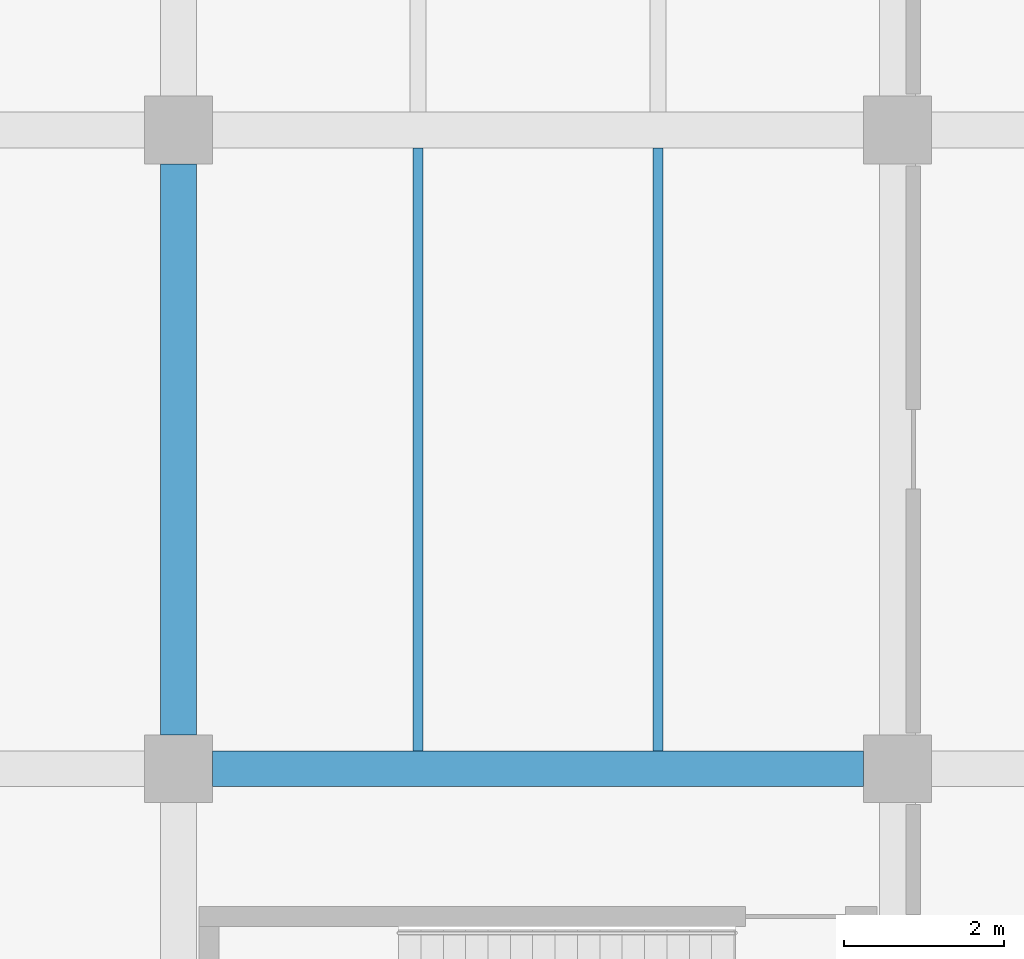
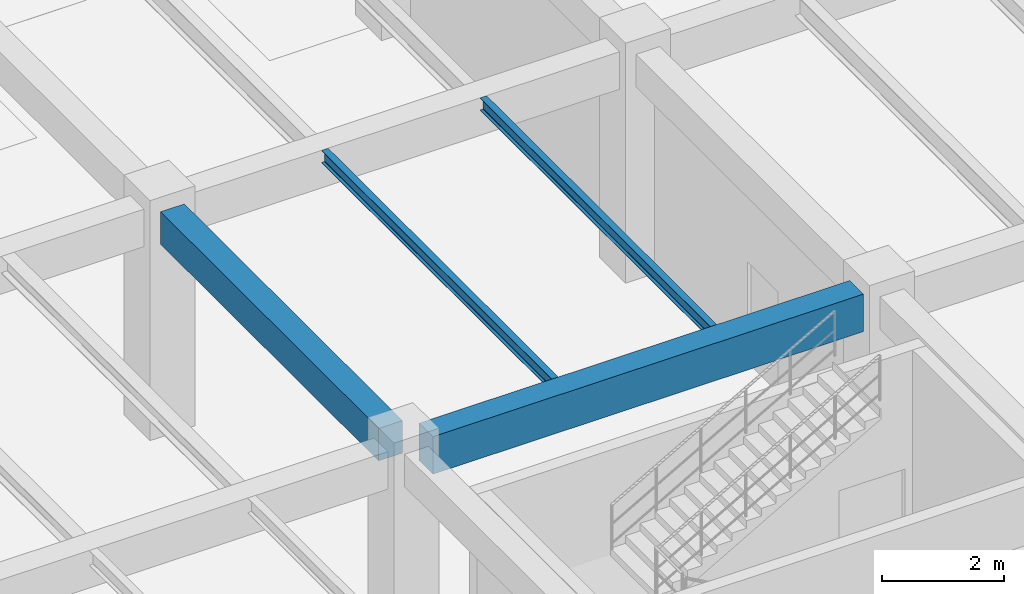
# One storey, part 116 of 178: 4 beams.
"""IFC4 building model written with IfcOpenShell, lengths in metres."""

import ifcopenshell
import ifcopenshell.guid

model = None  # the IFC model being written
_history = None  # IfcOwnerHistory: only IFC2X3 demands one
_inside = {}  # id of a spatial element -> (the spatial element, [elements in it])
_under = {}  # id of a project, library or spatial element -> (it, [spatial elements below it])
_declared = {}  # id of a project -> (the project, [libraries it declares])
_typed = {}  # id of a type object -> (the type object, [elements of that type])
_made_of = {}  # id of a material, layer set ... -> (it, [elements and type objects made of it])


def new_model(schema):
    """Start an empty IFC model of exactly this schema.

    Asked for "IFC4X3", IfcOpenShell would pick the latest addendum, in which some entities
    have other attributes; the version numbers below select the first issue.
    IFC2X3 requires an IfcOwnerHistory on every rooted entity: one is made here for all.
    """
    global model, _history
    if schema == "IFC4X3":
        model = ifcopenshell.file(schema_version=(4, 3, 0, 0))
    else:
        model = ifcopenshell.file(schema=schema)
    _inside.clear()
    _under.clear()
    _declared.clear()
    _typed.clear()
    _made_of.clear()
    _history = None
    if model.schema == "IFC2X3":
        org = make("IfcOrganization", Name="unknown")
        user = make(
            "IfcPersonAndOrganization",
            ThePerson=make("IfcPerson", FamilyName="unknown"),
            TheOrganization=org,
        )
        app = make(
            "IfcApplication",
            ApplicationDeveloper=org,
            Version="unknown",
            ApplicationFullName="unknown",
            ApplicationIdentifier="unknown",
        )
        _history = make(
            "IfcOwnerHistory",
            OwningUser=user,
            OwningApplication=app,
            ChangeAction="ADDED",
            CreationDate=0,
        )
    return model


def make(cls, **values):
    """One entity of the class cls with the attributes given. An attribute that is None is left unset."""
    return model.create_entity(
        cls, **{name: value for name, value in values.items() if value is not None}
    )


def rooted(cls, **values):
    """An entity with a GlobalId (a new one), such as an element, a storey or a relation."""
    return make(cls, GlobalId=ifcopenshell.guid.new(), OwnerHistory=_history, **values)


def si_unit(unit_type, name, prefix=None):
    """IfcSIUnit, for example si_unit("LENGTHUNIT", "METRE", prefix="MILLI")."""
    return make("IfcSIUnit", UnitType=unit_type, Prefix=prefix, Name=name)


def derived_unit(unit_type, elements):
    """IfcDerivedUnit: a product of units, each with its exponent."""
    return make(
        "IfcDerivedUnit",
        Elements=[
            make("IfcDerivedUnitElement", Unit=unit, Exponent=power)
            for unit, power in elements
        ],
        UnitType=unit_type,
    )


def assignment(units):
    """IfcUnitAssignment: the units of a project."""
    return None if units is None else make("IfcUnitAssignment", Units=units)


def point(xyz):
    """IfcCartesianPoint."""
    return None if xyz is None else make("IfcCartesianPoint", Coordinates=xyz)


def direction(xyz):
    """IfcDirection."""
    return None if xyz is None else make("IfcDirection", DirectionRatios=xyz)


def frame(location, z_axis=None, x_axis=None):
    """IfcAxis2Placement3D, a coordinate frame: its origin and axes. An axis left out is left unset."""
    return make(
        "IfcAxis2Placement3D",
        Location=point(location),
        Axis=direction(z_axis),
        RefDirection=direction(x_axis),
    )


def frame_2d(location, x_axis=None):
    """IfcAxis2Placement2D, a coordinate frame in the plane: its origin and x axis."""
    return make(
        "IfcAxis2Placement2D", Location=point(location), RefDirection=direction(x_axis)
    )


def origin():
    """The frame at (0, 0, 0) with its axes left unset."""
    return frame((0.0, 0.0, 0.0))


def origin_2d():
    """The frame at (0, 0) in the plane with its x axis left unset."""
    return frame_2d((0.0, 0.0))


def place(relative_to, where):
    """IfcLocalPlacement: puts the frame where relative to a parent placement (None: the world)."""
    return make(
        "IfcLocalPlacement", PlacementRelTo=relative_to, RelativePlacement=where
    )


def context(
    kind, dimensions, precision=None, world=None, true_north=None, identifier=None
):
    """IfcGeometricRepresentationContext, for example the 3D "Model" context."""
    return make(
        "IfcGeometricRepresentationContext",
        ContextIdentifier=identifier,
        ContextType=kind,
        CoordinateSpaceDimension=dimensions,
        Precision=precision,
        WorldCoordinateSystem=world,
        TrueNorth=true_north,
    )


def subcontext(parent, identifier, kind, view, scale=None):
    """IfcGeometricRepresentationSubContext, for example "Body" below "Model"."""
    return make(
        "IfcGeometricRepresentationSubContext",
        ContextIdentifier=identifier,
        ContextType=kind,
        ParentContext=parent,
        TargetScale=scale,
        TargetView=view,
    )


def project(units=None, contexts=None):
    """IfcProject with its units and contexts."""
    return rooted(
        "IfcProject",
        Name="project",
        RepresentationContexts=contexts,
        UnitsInContext=assignment(units),
    )


def spatial(cls, under=None, at=None, **own):
    """A site, building, storey or space (cls), placed at a placement, below another one or the project."""
    s = rooted(cls, ObjectPlacement=at, **own)
    if under is not None:
        _under.setdefault(under.id(), (under, []))[1].append(s)
    return s


def profile(cls, at=None, kind="AREA", **sizes):
    """A parametric profile (cls). Its sizes go by their IFC names, for example OverallWidth=200.0."""
    return make(cls, ProfileType=kind, Position=at, **sizes)


def rectangle(**sizes):
    """IfcRectangleProfileDef."""
    return profile("IfcRectangleProfileDef", **sizes)


def i_section(**sizes):
    """IfcIShapeProfileDef."""
    return profile("IfcIShapeProfileDef", **sizes)


def extrude(swept, where, along, depth):
    """IfcExtrudedAreaSolid: the profile swept, set in the frame where, extruded along a direction by depth."""
    return make(
        "IfcExtrudedAreaSolid",
        SweptArea=swept,
        Position=where,
        ExtrudedDirection=direction(along),
        Depth=depth,
    )


def shape(context_of_items, identifier, shape_type, items):
    """IfcShapeRepresentation: the items that make up one representation, for example the "Body"."""
    return make(
        "IfcShapeRepresentation",
        ContextOfItems=context_of_items,
        RepresentationIdentifier=identifier,
        RepresentationType=shape_type,
        Items=items,
    )


def material(Name=None, Category=None):
    """IfcMaterial."""
    return make("IfcMaterial", Name=Name, Category=Category)


def material_profile(
    of_material, cross_section, Name=None, Category=None, Priority=None
):
    """IfcMaterialProfile: a cross section and its material."""
    return make(
        "IfcMaterialProfile",
        Name=Name,
        Material=of_material,
        Profile=cross_section,
        Priority=Priority,
        Category=Category,
    )


def profile_set(profiles, Name=None, composite=None):
    """IfcMaterialProfileSet."""
    return make(
        "IfcMaterialProfileSet",
        Name=Name,
        MaterialProfiles=profiles,
        CompositeProfile=composite,
    )


def made_of(thing, what):
    """Note that an element or type object is made of a material, layer set ...; save() writes the relation."""
    if what is not None:
        _made_of.setdefault(what.id(), (what, []))[1].append(thing)
    return thing


def type_object(cls, material=None, **own):
    """A type object (cls), such as IfcWallType, which elements share."""
    return made_of(rooted(cls, **own), material)


def element(
    cls,
    number,
    at=None,
    inside=None,
    cuts=None,
    type_object=None,
    material=None,
    context=None,
    identifier="Body",
    shape_type=None,
    held_by="IfcProductDefinitionShape",
    body=None,
    shapes=None,
    **own,
):
    """One element of the class cls, such as IfcWall. Its Tag is "e" and its number.

    at: its placement. inside: the storey or other place that contains it. cuts: it is an
    opening in that element (IfcRelVoidsElement). A single representation is given by context,
    identifier, shape_type and body (its items); several are given by shapes. held_by: the class
    of the entity that holds the representations. save() writes the other relations.
    """
    e = rooted(cls, Tag="e%d" % number, ObjectPlacement=at, **own)
    if body is not None:
        shapes = [shape(context, identifier, shape_type, body)]
    if shapes is not None:
        e.Representation = make(held_by, Representations=shapes)
    if inside is not None:
        _inside.setdefault(inside.id(), (inside, []))[1].append(e)
    if cuts is not None:
        rooted(
            "IfcRelVoidsElement", RelatingBuildingElement=cuts, RelatedOpeningElement=e
        )
    if type_object is not None:
        _typed.setdefault(type_object.id(), (type_object, []))[1].append(e)
    return made_of(e, material)


def aggregate(whole, parts):
    """IfcRelAggregates: a whole, such as a stair, and the parts it consists of."""
    return rooted("IfcRelAggregates", RelatingObject=whole, RelatedObjects=parts)


def save(model, path):
    """Write the relations noted so far, then the file.

    IfcRelAggregates (storeys below a building ...), IfcRelContainedInSpatialStructure (elements
    in a storey), IfcRelDefinesByType, IfcRelAssociatesMaterial and IfcRelDeclares: one each for
    every whole, place, type object, material and project.
    """
    for whole, parts in _under.values():
        aggregate(whole, parts)
    for where, things in _inside.values():
        rooted(
            "IfcRelContainedInSpatialStructure",
            RelatedElements=things,
            RelatingStructure=where,
        )
    for kind, things in _typed.values():
        rooted("IfcRelDefinesByType", RelatedObjects=things, RelatingType=kind)
    for what, things in _made_of.values():
        rooted("IfcRelAssociatesMaterial", RelatedObjects=things, RelatingMaterial=what)
    for by, libraries in _declared.values():
        rooted("IfcRelDeclares", RelatingContext=by, RelatedDefinitions=libraries)
    model.write(path)


model = new_model("IFC4")

# Units and contexts
model_context = context("Model", 3, precision=1e-05, world=origin(), true_north=direction((0.0, 1.0)))
body_context = subcontext(model_context, "Body", "Model", "MODEL_VIEW")
ifc_project = project(units=[si_unit("LENGTHUNIT", "METRE"), si_unit("AREAUNIT", "SQUARE_METRE"), si_unit("VOLUMEUNIT", "CUBIC_METRE"), si_unit("PLANEANGLEUNIT", "RADIAN"), si_unit("MASSUNIT", "GRAM", prefix="KILO"), derived_unit("THERMALTRANSMITTANCEUNIT", [(si_unit("MASSUNIT", "GRAM", prefix="KILO"), 1), (si_unit("TIMEUNIT", "SECOND"), -3), (si_unit("THERMODYNAMICTEMPERATUREUNIT", "KELVIN"), -1)])], contexts=[model_context])

# Site, building, storey
site_placement = place(None, origin())
site = spatial("IfcSite", under=ifc_project, at=site_placement, CompositionType="ELEMENT")
building_placement = place(site_placement, origin())
building = spatial("IfcBuilding", under=site, at=building_placement, Name="Zhenchuan Archway Interchange", CompositionType="ELEMENT")
storey_placement = place(building_placement, frame((0.0, 0.0, 5.39990234375)))
storey = spatial("IfcBuildingStorey", under=building, at=storey_placement, Name="L01", CompositionType="ELEMENT", Elevation=5.39990234375)

# Beams
ifc_material_1 = material(Name="Concrete C40", Category="concrete")
ifc_material_profile_1 = material_profile(ifc_material_1, rectangle(XDim=0.449951171875, YDim=0.64990234375, at=origin_2d()), Name="RC 450x650")
ifc_profile_set_1 = profile_set([ifc_material_profile_1], Name="Concrete C40")
beam_type_1 = type_object("IfcBeamType", Name="BM_RC_450x650", PredefinedType="BEAM", material=ifc_profile_set_1)
beam_1_placement = place(storey_placement, frame((153.0, 24.425048828125, 4.18505859375), z_axis=(0.0, 1.0, 0.0), x_axis=(-1.0, 0.0, 0.0)))
element("IfcBeam", 1, at=beam_1_placement, inside=storey, type_object=beam_type_1, Name="Beam 18:D-E (L01)", PredefinedType="BEAM", context=body_context, shape_type="SweptSolid", body=[
    extrude(rectangle(XDim=0.449951171875, YDim=0.64990234375, at=origin_2d()), origin(), (0.0, 0.0, 1.0), 7.14990234375),
])
ifc_material_profile_2 = material_profile(ifc_material_1, rectangle(XDim=0.449951171875, YDim=0.75, at=origin_2d()), Name="RC 450x750")
ifc_profile_set_2 = profile_set([ifc_material_profile_2], Name="Concrete C40")
beam_type_2 = type_object("IfcBeamType", Name="BM_RC_450x750", PredefinedType="BEAM", material=ifc_profile_set_2)
beam_2_placement = place(storey_placement, frame((153.425048828125, 24.0, 4.135009765625), z_axis=(1.0, 0.0, 0.0), x_axis=(0.0, 1.0, 0.0)))
element("IfcBeam", 2, at=beam_2_placement, inside=storey, type_object=beam_type_2, Name="Beam D:18-19 (L01)", PredefinedType="BEAM", context=body_context, shape_type="SweptSolid", body=[
    extrude(rectangle(XDim=0.449951171875, YDim=0.75, at=origin_2d()), origin(), (0.0, 0.0, 1.0), 8.14990234375),
])
ifc_material_2 = material(Name="Steel Q355", Category="steel")
ifc_material_profile_3 = material_profile(ifc_material_2, i_section(OverallWidth=0.125, OverallDepth=0.25, WebThickness=0.006103515625, FlangeThickness=0.009033203125, FilletRadius=0.011962890625, at=origin_2d()), Name="HN 250x125")
ifc_profile_set_3 = profile_set([ifc_material_profile_3], Name="Steel Q355")
beam_type_3 = type_object("IfcBeamType", Name="JST_STL_HN250", PredefinedType="JOIST", material=ifc_profile_set_3)
for number, where, z_axis, x_axis, name in (
    (3, (156.0, 24.22509765625, 4.385009765625), (0.0, 1.0, 0.0), (-1.0, 0.0, 0.0), "Secondary joist 18-19/D-E #1 (L01)"),
    (4, (159.0, 24.22509765625, 4.385009765625), (0.0, 1.0, 0.0), (-1.0, 0.0, 0.0), "Secondary joist 18-19/D-E #2 (L01)"),
):
    element("IfcBeam", number, at=place(storey_placement, frame(where, z_axis=z_axis, x_axis=x_axis)), inside=storey, type_object=beam_type_3, Name=name, PredefinedType="JOIST", context=body_context, shape_type="SweptSolid", body=[
        extrude(i_section(OverallWidth=0.125, OverallDepth=0.25, WebThickness=0.006103515625, FlangeThickness=0.009033203125, FilletRadius=0.011962890625, at=origin_2d()), origin(), (0.0, 0.0, 1.0), 7.5498046875),
    ])

save(model, "model.ifc")
